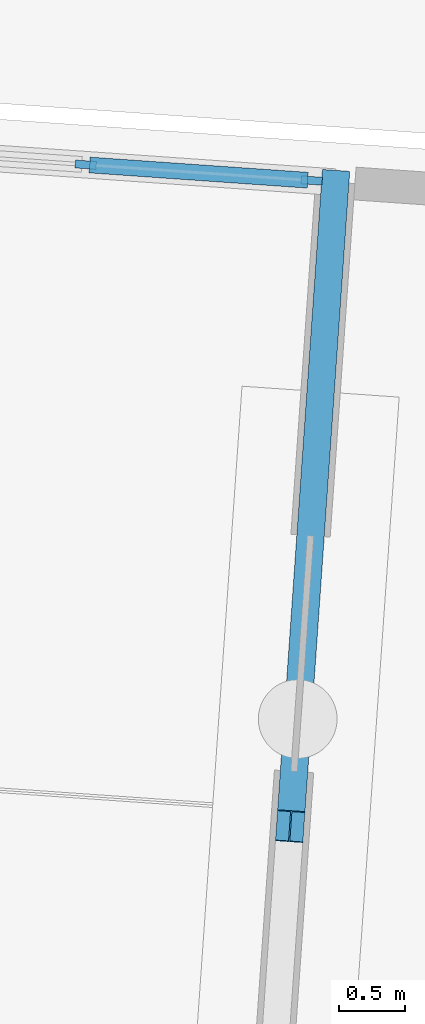
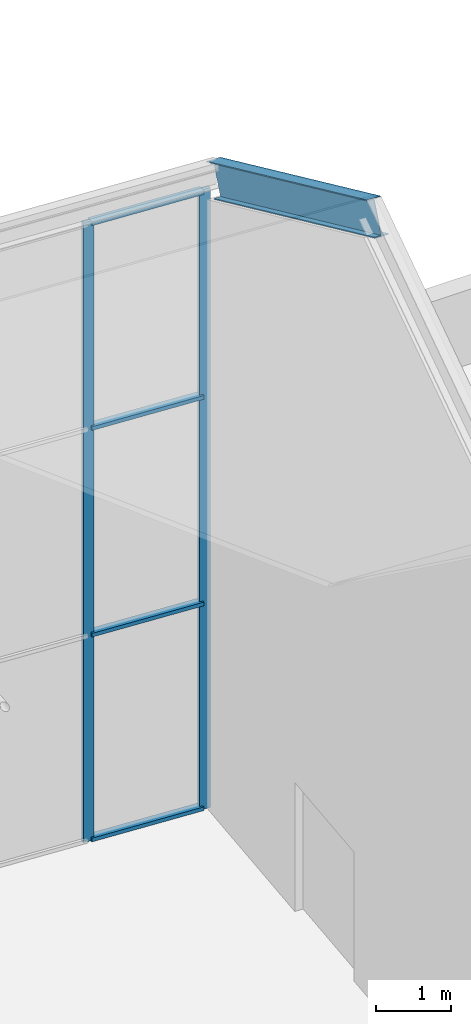
# One storey, part 63 of 157: 7 members, 1 element without a shape of its own.
"""IFC4 building model written with IfcOpenShell, lengths in metres."""

import ifcopenshell
import ifcopenshell.guid

model = None  # the IFC model being written
_history = None  # IfcOwnerHistory: only IFC2X3 demands one
_inside = {}  # id of a spatial element -> (the spatial element, [elements in it])
_under = {}  # id of a project, library or spatial element -> (it, [spatial elements below it])
_declared = {}  # id of a project -> (the project, [libraries it declares])
_typed = {}  # id of a type object -> (the type object, [elements of that type])
_made_of = {}  # id of a material, layer set ... -> (it, [elements and type objects made of it])


def new_model(schema):
    """Start an empty IFC model of exactly this schema.

    Asked for "IFC4X3", IfcOpenShell would pick the latest addendum, in which some entities
    have other attributes; the version numbers below select the first issue.
    IFC2X3 requires an IfcOwnerHistory on every rooted entity: one is made here for all.
    """
    global model, _history
    if schema == "IFC4X3":
        model = ifcopenshell.file(schema_version=(4, 3, 0, 0))
    else:
        model = ifcopenshell.file(schema=schema)
    _inside.clear()
    _under.clear()
    _declared.clear()
    _typed.clear()
    _made_of.clear()
    _history = None
    if model.schema == "IFC2X3":
        org = make("IfcOrganization", Name="unknown")
        user = make(
            "IfcPersonAndOrganization",
            ThePerson=make("IfcPerson", FamilyName="unknown"),
            TheOrganization=org,
        )
        app = make(
            "IfcApplication",
            ApplicationDeveloper=org,
            Version="unknown",
            ApplicationFullName="unknown",
            ApplicationIdentifier="unknown",
        )
        _history = make(
            "IfcOwnerHistory",
            OwningUser=user,
            OwningApplication=app,
            ChangeAction="ADDED",
            CreationDate=0,
        )
    return model


def make(cls, **values):
    """One entity of the class cls with the attributes given. An attribute that is None is left unset."""
    return model.create_entity(
        cls, **{name: value for name, value in values.items() if value is not None}
    )


def rooted(cls, **values):
    """An entity with a GlobalId (a new one), such as an element, a storey or a relation."""
    return make(cls, GlobalId=ifcopenshell.guid.new(), OwnerHistory=_history, **values)


def si_unit(unit_type, name, prefix=None):
    """IfcSIUnit, for example si_unit("LENGTHUNIT", "METRE", prefix="MILLI")."""
    return make("IfcSIUnit", UnitType=unit_type, Prefix=prefix, Name=name)


def assignment(units):
    """IfcUnitAssignment: the units of a project."""
    return None if units is None else make("IfcUnitAssignment", Units=units)


def point(xyz):
    """IfcCartesianPoint."""
    return None if xyz is None else make("IfcCartesianPoint", Coordinates=xyz)


def direction(xyz):
    """IfcDirection."""
    return None if xyz is None else make("IfcDirection", DirectionRatios=xyz)


def frame(location, z_axis=None, x_axis=None):
    """IfcAxis2Placement3D, a coordinate frame: its origin and axes. An axis left out is left unset."""
    return make(
        "IfcAxis2Placement3D",
        Location=point(location),
        Axis=direction(z_axis),
        RefDirection=direction(x_axis),
    )


def frame_2d(location, x_axis=None):
    """IfcAxis2Placement2D, a coordinate frame in the plane: its origin and x axis."""
    return make(
        "IfcAxis2Placement2D", Location=point(location), RefDirection=direction(x_axis)
    )


def origin():
    """The frame at (0, 0, 0) with its axes left unset."""
    return frame((0.0, 0.0, 0.0))


def origin_2d():
    """The frame at (0, 0) in the plane with its x axis left unset."""
    return frame_2d((0.0, 0.0))


def place(relative_to, where):
    """IfcLocalPlacement: puts the frame where relative to a parent placement (None: the world)."""
    return make(
        "IfcLocalPlacement", PlacementRelTo=relative_to, RelativePlacement=where
    )


def context(
    kind, dimensions, precision=None, world=None, true_north=None, identifier=None
):
    """IfcGeometricRepresentationContext, for example the 3D "Model" context."""
    return make(
        "IfcGeometricRepresentationContext",
        ContextIdentifier=identifier,
        ContextType=kind,
        CoordinateSpaceDimension=dimensions,
        Precision=precision,
        WorldCoordinateSystem=world,
        TrueNorth=true_north,
    )


def subcontext(parent, identifier, kind, view, scale=None):
    """IfcGeometricRepresentationSubContext, for example "Body" below "Model"."""
    return make(
        "IfcGeometricRepresentationSubContext",
        ContextIdentifier=identifier,
        ContextType=kind,
        ParentContext=parent,
        TargetScale=scale,
        TargetView=view,
    )


def project(units=None, contexts=None):
    """IfcProject with its units and contexts."""
    return rooted(
        "IfcProject",
        Name="project",
        RepresentationContexts=contexts,
        UnitsInContext=assignment(units),
    )


def spatial(cls, under=None, at=None, **own):
    """A site, building, storey or space (cls), placed at a placement, below another one or the project."""
    s = rooted(cls, ObjectPlacement=at, **own)
    if under is not None:
        _under.setdefault(under.id(), (under, []))[1].append(s)
    return s


def profile(cls, at=None, kind="AREA", **sizes):
    """A parametric profile (cls). Its sizes go by their IFC names, for example OverallWidth=200.0."""
    return make(cls, ProfileType=kind, Position=at, **sizes)


def rectangle(**sizes):
    """IfcRectangleProfileDef."""
    return profile("IfcRectangleProfileDef", **sizes)


def i_section(**sizes):
    """IfcIShapeProfileDef."""
    return profile("IfcIShapeProfileDef", **sizes)


def extrude(swept, where, along, depth):
    """IfcExtrudedAreaSolid: the profile swept, set in the frame where, extruded along a direction by depth."""
    return make(
        "IfcExtrudedAreaSolid",
        SweptArea=swept,
        Position=where,
        ExtrudedDirection=direction(along),
        Depth=depth,
    )


def shape(context_of_items, identifier, shape_type, items):
    """IfcShapeRepresentation: the items that make up one representation, for example the "Body"."""
    return make(
        "IfcShapeRepresentation",
        ContextOfItems=context_of_items,
        RepresentationIdentifier=identifier,
        RepresentationType=shape_type,
        Items=items,
    )


def material(Name=None, Category=None):
    """IfcMaterial."""
    return make("IfcMaterial", Name=Name, Category=Category)


def material_profile(
    of_material, cross_section, Name=None, Category=None, Priority=None
):
    """IfcMaterialProfile: a cross section and its material."""
    return make(
        "IfcMaterialProfile",
        Name=Name,
        Material=of_material,
        Profile=cross_section,
        Priority=Priority,
        Category=Category,
    )


def profile_set(profiles, Name=None, composite=None):
    """IfcMaterialProfileSet."""
    return make(
        "IfcMaterialProfileSet",
        Name=Name,
        MaterialProfiles=profiles,
        CompositeProfile=composite,
    )


def made_of(thing, what):
    """Note that an element or type object is made of a material, layer set ...; save() writes the relation."""
    if what is not None:
        _made_of.setdefault(what.id(), (what, []))[1].append(thing)
    return thing


def type_object(cls, material=None, **own):
    """A type object (cls), such as IfcWallType, which elements share."""
    return made_of(rooted(cls, **own), material)


def element(
    cls,
    number,
    at=None,
    inside=None,
    cuts=None,
    type_object=None,
    material=None,
    context=None,
    identifier="Body",
    shape_type=None,
    held_by="IfcProductDefinitionShape",
    body=None,
    shapes=None,
    **own,
):
    """One element of the class cls, such as IfcWall. Its Tag is "e" and its number.

    at: its placement. inside: the storey or other place that contains it. cuts: it is an
    opening in that element (IfcRelVoidsElement). A single representation is given by context,
    identifier, shape_type and body (its items); several are given by shapes. held_by: the class
    of the entity that holds the representations. save() writes the other relations.
    """
    e = rooted(cls, Tag="e%d" % number, ObjectPlacement=at, **own)
    if body is not None:
        shapes = [shape(context, identifier, shape_type, body)]
    if shapes is not None:
        e.Representation = make(held_by, Representations=shapes)
    if inside is not None:
        _inside.setdefault(inside.id(), (inside, []))[1].append(e)
    if cuts is not None:
        rooted(
            "IfcRelVoidsElement", RelatingBuildingElement=cuts, RelatedOpeningElement=e
        )
    if type_object is not None:
        _typed.setdefault(type_object.id(), (type_object, []))[1].append(e)
    return made_of(e, material)


def aggregate(whole, parts):
    """IfcRelAggregates: a whole, such as a stair, and the parts it consists of."""
    return rooted("IfcRelAggregates", RelatingObject=whole, RelatedObjects=parts)


def save(model, path):
    """Write the relations noted so far, then the file.

    IfcRelAggregates (storeys below a building ...), IfcRelContainedInSpatialStructure (elements
    in a storey), IfcRelDefinesByType, IfcRelAssociatesMaterial and IfcRelDeclares: one each for
    every whole, place, type object, material and project.
    """
    for whole, parts in _under.values():
        aggregate(whole, parts)
    for where, things in _inside.values():
        rooted(
            "IfcRelContainedInSpatialStructure",
            RelatedElements=things,
            RelatingStructure=where,
        )
    for kind, things in _typed.values():
        rooted("IfcRelDefinesByType", RelatedObjects=things, RelatingType=kind)
    for what, things in _made_of.values():
        rooted("IfcRelAssociatesMaterial", RelatedObjects=things, RelatingMaterial=what)
    for by, libraries in _declared.values():
        rooted("IfcRelDeclares", RelatingContext=by, RelatedDefinitions=libraries)
    model.write(path)


model = new_model("IFC4")

# Units and contexts
model_context = context("Model", 3, precision=1e-05, world=origin(), true_north=direction((0.0, 1.0)))
body_context = subcontext(model_context, "Body", "Model", "MODEL_VIEW")
ifc_project = project(units=[si_unit("LENGTHUNIT", "METRE"), si_unit("AREAUNIT", "SQUARE_METRE"), si_unit("VOLUMEUNIT", "CUBIC_METRE"), si_unit("PLANEANGLEUNIT", "RADIAN"), si_unit("MASSUNIT", "GRAM", prefix="KILO")], contexts=[model_context])

# Site, building, storey
site_placement = place(None, origin())
site = spatial("IfcSite", under=ifc_project, at=site_placement, CompositionType="ELEMENT")
building_placement = place(site_placement, origin())
building = spatial("IfcBuilding", under=site, at=building_placement, Name="Windward Yard Aquatics Centre", CompositionType="ELEMENT")
storey_placement = place(building_placement, origin())
storey = spatial("IfcBuildingStorey", under=building, at=storey_placement, Name="L00", CompositionType="ELEMENT", Elevation=0.0)

# Curtain wall, members
ifc_material_1 = material(Name="Aluminium curtain wall system", Category="aluminium")
curtain_wall_type = type_object("IfcCurtainWallType", Name="W curtain wall 1900", PredefinedType="NOTDEFINED", material=ifc_material_1)
curtain_wall_placement = place(storey_placement, origin())
curtain_wall = element("IfcCurtainWall", 1, at=curtain_wall_placement, inside=storey, type_object=curtain_wall_type, Name="Wing north glazing L00 4", PredefinedType="NOTDEFINED")
ifc_material_2 = material(Name="Aluminium mullion", Category="aluminium")
ifc_material_profile_1 = material_profile(ifc_material_2, rectangle(XDim=0.06005859375, YDim=0.159912109375, at=origin_2d()), Name="AL 60x160")
ifc_profile_set_1 = profile_set([ifc_material_profile_1], Name="Aluminium mullion")
member_type_1 = type_object("IfcMemberType", Name="W CW mullion 60x160", PredefinedType="MULLION", material=ifc_profile_set_1)
member_1_placement = place(storey_placement, frame((100.418212890625, 136.632568359375, 0.0), z_axis=(0.0, 0.0, 1.0), x_axis=(0.069756438069, 0.997564052754, 0.0)))
member_1 = element("IfcMember", 2, at=member_1_placement, type_object=member_type_1, Name="WCW1 mullion 4", PredefinedType="MULLION", context=body_context, shape_type="SweptSolid", body=[
    extrude(rectangle(XDim=0.06005859375, YDim=0.159912109375, at=origin_2d()), origin(), (0.0, 0.0, 1.0), 10.097900390625),
])
member_2_placement = place(storey_placement, frame((102.139892578125, 136.51220703125, 0.0), z_axis=(0.0, 0.0, 1.0), x_axis=(0.069756438069, 0.997564052754, 0.0)))
member_2 = element("IfcMember", 3, at=member_2_placement, type_object=member_type_1, Name="WCW1 mullion 5", PredefinedType="MULLION", context=body_context, shape_type="SweptSolid", body=[
    extrude(rectangle(XDim=0.06005859375, YDim=0.159912109375, at=origin_2d()), origin(), (0.0, 0.0, 1.0), 10.097900390625),
])
ifc_material_3 = material(Name="Aluminium transom", Category="aluminium")
ifc_material_profile_2 = material_profile(ifc_material_3, rectangle(XDim=0.1201171875, YDim=0.06005859375, at=origin_2d()), Name="AL 120x60")
ifc_profile_set_2 = profile_set([ifc_material_profile_2], Name="Aluminium transom")
member_type_2 = type_object("IfcMemberType", Name="W CW transom 120x60", PredefinedType="USERDEFINED", material=ifc_profile_set_2)
member_3_placement = place(storey_placement, frame((100.4482421875, 136.63037109375, 0.030029296875), z_axis=(0.99757344392, -0.069622007914, 0.0), x_axis=(0.069622007914, 0.99757344392, 0.0)))
member_3 = element("IfcMember", 4, at=member_3_placement, type_object=member_type_2, Name="WCW1 transom 4.1", ObjectType="TRANSOM", PredefinedType="USERDEFINED", context=body_context, shape_type="SweptSolid", body=[
    extrude(rectangle(XDim=0.1201171875, YDim=0.06005859375, at=origin_2d()), origin(), (0.0, 0.0, 1.0), 1.665771484375),
])
member_4_placement = place(storey_placement, frame((100.4482421875, 136.63037109375, 3.365966796875), z_axis=(0.99757344392, -0.069622007914, 0.0), x_axis=(0.069622007914, 0.99757344392, 0.0)))
member_4 = element("IfcMember", 5, at=member_4_placement, type_object=member_type_2, Name="WCW1 transom 4.2", ObjectType="TRANSOM", PredefinedType="USERDEFINED", context=body_context, shape_type="SweptSolid", body=[
    extrude(rectangle(XDim=0.1201171875, YDim=0.06005859375, at=origin_2d()), origin(), (0.0, 0.0, 1.0), 1.665771484375),
])
member_5_placement = place(storey_placement, frame((100.4482421875, 136.63037109375, 6.73193359375), z_axis=(0.99757344392, -0.069622007914, 0.0), x_axis=(0.069622007914, 0.99757344392, 0.0)))
member_5 = element("IfcMember", 6, at=member_5_placement, type_object=member_type_2, Name="WCW1 transom 4.3", ObjectType="TRANSOM", PredefinedType="USERDEFINED", context=body_context, shape_type="SweptSolid", body=[
    extrude(rectangle(XDim=0.1201171875, YDim=0.06005859375, at=origin_2d()), origin(), (0.0, 0.0, 1.0), 1.665771484375),
])
member_6_placement = place(storey_placement, frame((100.4482421875, 136.63037109375, 10.068115234375), z_axis=(0.99757344392, -0.069622007914, 0.0), x_axis=(0.069622007914, 0.99757344392, 0.0)))
member_6 = element("IfcMember", 7, at=member_6_placement, type_object=member_type_2, Name="WCW1 transom 4.4", ObjectType="TRANSOM", PredefinedType="USERDEFINED", context=body_context, shape_type="SweptSolid", body=[
    extrude(rectangle(XDim=0.1201171875, YDim=0.06005859375, at=origin_2d()), origin(), (0.0, 0.0, 1.0), 1.665771484375),
])
aggregate(curtain_wall, [member_1, member_2, member_3, member_4, member_5, member_6])

# Member
ifc_material_4 = material(Name="Steel S355", Category="steel")
ifc_material_profile_3 = material_profile(ifc_material_4, i_section(OverallWidth=0.208984375, OverallDepth=0.532958984375, WebThickness=0.01025390625, FlangeThickness=0.015625, at=origin_2d()), Name="W530x92")
ifc_profile_set_3 = profile_set([ifc_material_profile_3], Name="Steel S355")
member_type_3 = type_object("IfcMemberType", Name="W W530x92 rafter", PredefinedType="RAFTER", material=ifc_profile_set_3)
member_7_placement = place(storey_placement, frame((101.976318359375, 131.59228515625, 12.66162109375), z_axis=(0.062388938922, 0.89224667912, -0.447217490601), x_axis=(-0.997564285741, 0.06975310612, 0.0)))
element("IfcMember", 8, at=member_7_placement, inside=storey, type_object=member_type_3, Name="W.RAF.5.4", PredefinedType="RAFTER", context=body_context, shape_type="SweptSolid", body=[
    extrude(i_section(OverallWidth=0.208984375, OverallDepth=0.532958984375, WebThickness=0.01025390625, FlangeThickness=0.015625, at=origin_2d()), origin(), (0.0, 0.0, 1.0), 5.466796875),
])

save(model, "model.ifc")
